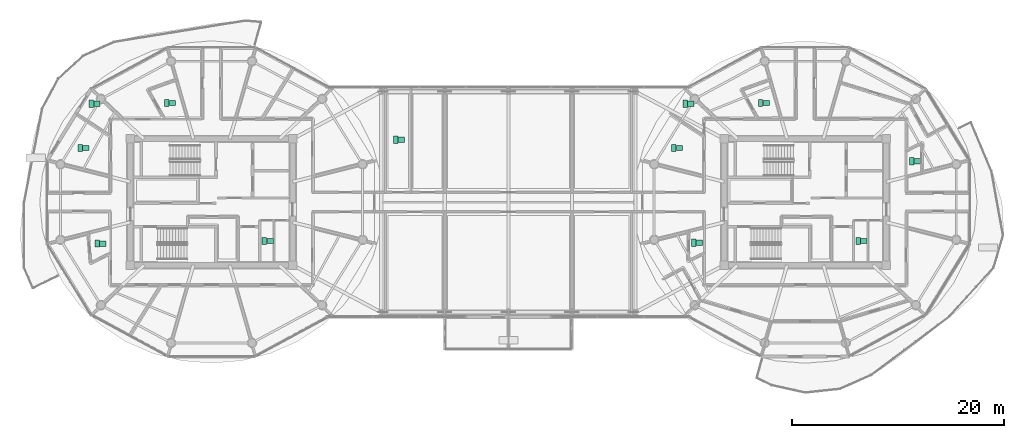
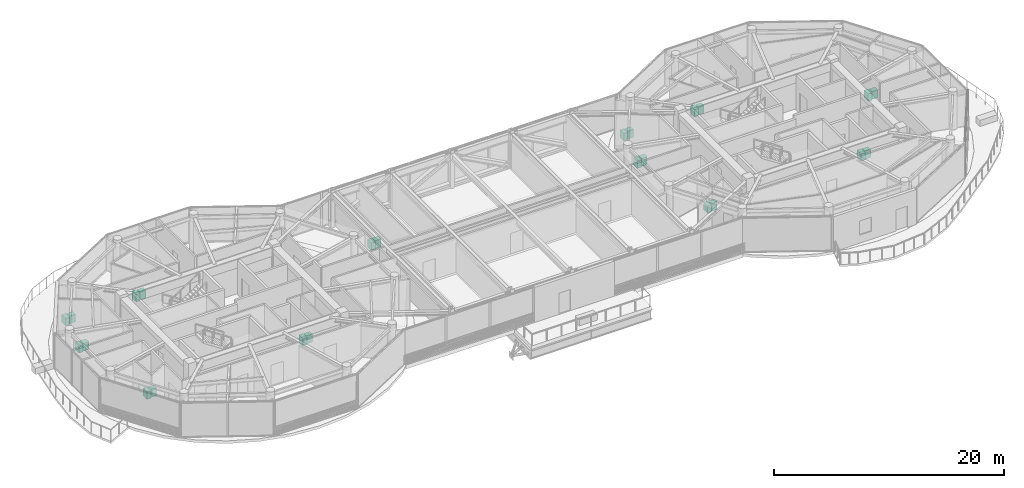
# One storey, part 30 of 31: 24 sanitary terminals.
"""IFC4 building model written with IfcOpenShell, lengths in metres."""

from ifc_helpers import new_model, si_unit, direction, frame, origin, origin_2d, place, context, subcontext, project, spatial, rectangle, extrude, source, transform, mapped, material, type_object, type_shapes, element, save


model = new_model("IFC4")

# Units and contexts
model_context = context("Model", 3, precision=1e-05, world=origin(), true_north=direction((0.0, 1.0)))
body_context = subcontext(model_context, "Body", "Model", "MODEL_VIEW")
ifc_project = project(units=[si_unit("LENGTHUNIT", "METRE"), si_unit("AREAUNIT", "SQUARE_METRE"), si_unit("VOLUMEUNIT", "CUBIC_METRE"), si_unit("PLANEANGLEUNIT", "RADIAN"), si_unit("MASSUNIT", "GRAM", prefix="KILO")], contexts=[model_context])

# Site, building, storey
site_placement = place(None, origin())
site = spatial("IfcSite", under=ifc_project, at=site_placement, CompositionType="ELEMENT")
building_placement = place(site_placement, origin())
building = spatial("IfcBuilding", under=site, at=building_placement, Name="Norrkilde Senior Care Towers", CompositionType="ELEMENT")
storey_placement = place(building_placement, frame((0.0, 0.0, 199.800048828125)))
storey = spatial("IfcBuildingStorey", under=building, at=storey_placement, Name="L62", CompositionType="ELEMENT", Elevation=199.800048828125)

# Sanitary terminals
ifc_material = material(Name="Porcelain Ceramic")
sanitary_terminal_type_1 = type_object("IfcSanitaryTerminalType", Name="Accessible Senior WC Suite", PredefinedType="TOILETPAN", material=ifc_material)
shared_shape_1 = source(origin(), body_context, "Body", "SweptSolid", [
    extrude(rectangle(XDim=0.419921875, YDim=0.679931640625, at=origin_2d()), origin(), (0.0, 0.0, 1.0), 0.780029296875),
])
type_shapes(sanitary_terminal_type_1, [shared_shape_1])
for number, where, z_axis, x_axis, name in (
    (1, (-23.010009765625, -3.675048828125, 0.0), (0.0, 0.0, 1.0), (1.0, 0.0, 0.0), "L62 Accessible WC Pan 0158"),
    (2, (-32.22021484375, 9.33984375, 0.0), (0.0, 0.0, 1.0), (1.0, 0.0, 0.0), "L62 Accessible WC Pan 0159"),
    (3, (-39.333984375, 9.268798828125, 0.0), (0.0, 0.0, 1.0), (1.0, 0.0, 0.0), "L62 Accessible WC Pan 0160"),
    (4, (-40.38671875, 5.09326171875, 0.0), (0.0, 0.0, 1.0), (1.0, 0.0, 0.0), "L62 Accessible WC Pan 0161"),
    (5, (-38.79443359375, -3.923828125, 0.0), (0.0, 0.0, 1.0), (1.0, 0.0, 0.0), "L62 Accessible WC Pan 0162"),
    (6, (32.989990234375, -3.675048828125, 0.0), (0.0, 0.0, 1.0), (1.0, 0.0, 0.0), "L62 Accessible WC Pan 0163"),
    (7, (38.02734375, 3.848388671875, 0.0), (0.0, 0.0, 1.0), (1.0, 0.0, 0.0), "L62 Accessible WC Pan 0164"),
    (8, (23.77978515625, 9.33984375, 0.0), (0.0, 0.0, 1.0), (1.0, 0.0, 0.0), "L62 Accessible WC Pan 0165"),
    (9, (16.666015625, 9.268798828125, 0.0), (0.0, 0.0, 1.0), (1.0, 0.0, 0.0), "L62 Accessible WC Pan 0166"),
    (10, (15.61328125, 5.09326171875, 0.0), (0.0, 0.0, 1.0), (1.0, 0.0, 0.0), "L62 Accessible WC Pan 0167"),
    (11, (17.47265625, -3.848388671875, 0.0), (0.0, 0.0, 1.0), (1.0, 0.0, 0.0), "L62 Accessible WC Pan 0168"),
    (12, (-10.6298828125, 5.8701171875, 0.0), (0.0, 0.0, 1.0), (1.0, 0.0, 0.0), "L62 Accessible WC Pan 0169"),
):
    element("IfcSanitaryTerminal", number, at=place(storey_placement, frame(where, z_axis=z_axis, x_axis=x_axis)), inside=storey, type_object=sanitary_terminal_type_1, Name=name, PredefinedType="TOILETPAN", context=body_context, shape_type="MappedRepresentation", body=[
        mapped(shared_shape_1, transform((0.0, 0.0, 0.0), x_axis=(1.0, 0.0, 0.0), y_axis=(0.0, 1.0, 0.0), z_axis=(0.0, 0.0, 1.0), scale=1.0)),
    ])
sanitary_terminal_type_2 = type_object("IfcSanitaryTerminalType", Name="Thermostatic Care Washbasin", PredefinedType="WASHHANDBASIN", material=ifc_material)
shared_shape_2 = source(origin(), body_context, "Body", "SweptSolid", [
    extrude(rectangle(XDim=0.60009765625, YDim=0.5, at=origin_2d()), origin(), (0.0, 0.0, 1.0), 0.820068359375),
])
type_shapes(sanitary_terminal_type_2, [shared_shape_2])
for number, where, z_axis, x_axis, name in (
    (13, (-22.47998046875, -3.675048828125, 0.0), (0.0, 0.0, 1.0), (1.0, 0.0, 0.0), "L62 Accessible Washbasin 0158"),
    (14, (-31.690185546875, 9.33984375, 0.0), (0.0, 0.0, 1.0), (1.0, 0.0, 0.0), "L62 Accessible Washbasin 0159"),
    (15, (-38.803955078125, 9.268798828125, 0.0), (0.0, 0.0, 1.0), (1.0, 0.0, 0.0), "L62 Accessible Washbasin 0160"),
    (16, (-39.856689453125, 5.09326171875, 0.0), (0.0, 0.0, 1.0), (1.0, 0.0, 0.0), "L62 Accessible Washbasin 0161"),
    (17, (-38.264404296875, -3.923828125, 0.0), (0.0, 0.0, 1.0), (1.0, 0.0, 0.0), "L62 Accessible Washbasin 0162"),
    (18, (33.52001953125, -3.675048828125, 0.0), (0.0, 0.0, 1.0), (1.0, 0.0, 0.0), "L62 Accessible Washbasin 0163"),
    (19, (38.557373046875, 3.848388671875, 0.0), (0.0, 0.0, 1.0), (1.0, 0.0, 0.0), "L62 Accessible Washbasin 0164"),
    (20, (24.309814453125, 9.33984375, 0.0), (0.0, 0.0, 1.0), (1.0, 0.0, 0.0), "L62 Accessible Washbasin 0165"),
    (21, (17.196044921875, 9.268798828125, 0.0), (0.0, 0.0, 1.0), (1.0, 0.0, 0.0), "L62 Accessible Washbasin 0166"),
    (22, (16.143310546875, 5.09326171875, 0.0), (0.0, 0.0, 1.0), (1.0, 0.0, 0.0), "L62 Accessible Washbasin 0167"),
    (23, (18.002685546875, -3.848388671875, 0.0), (0.0, 0.0, 1.0), (1.0, 0.0, 0.0), "L62 Accessible Washbasin 0168"),
    (24, (-10.10009765625, 5.8701171875, 0.0), (0.0, 0.0, 1.0), (1.0, 0.0, 0.0), "L62 Accessible Washbasin 0169"),
):
    element("IfcSanitaryTerminal", number, at=place(storey_placement, frame(where, z_axis=z_axis, x_axis=x_axis)), inside=storey, type_object=sanitary_terminal_type_2, Name=name, PredefinedType="WASHHANDBASIN", context=body_context, shape_type="MappedRepresentation", body=[
        mapped(shared_shape_2, transform((0.0, 0.0, 0.0), x_axis=(1.0, 0.0, 0.0), y_axis=(0.0, 1.0, 0.0), z_axis=(0.0, 0.0, 1.0), scale=1.0)),
    ])

save(model, "model.ifc")
